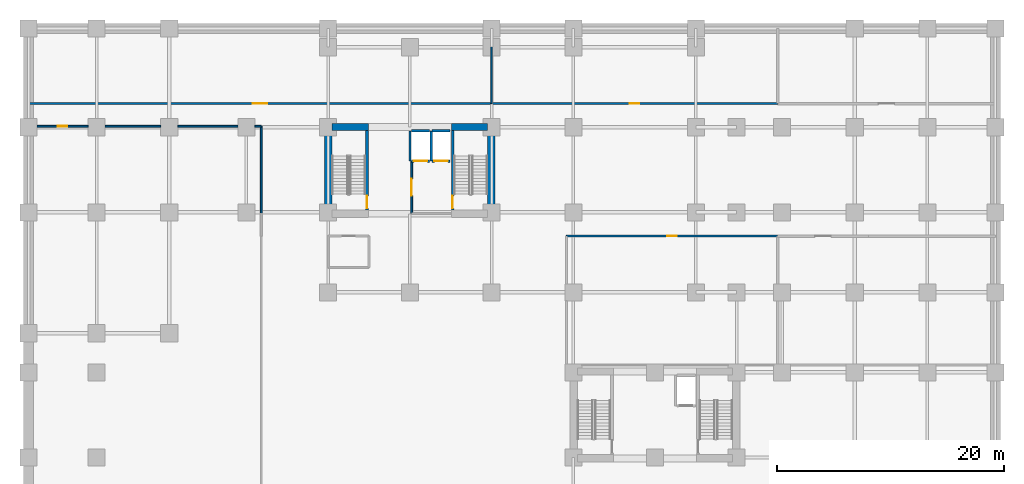
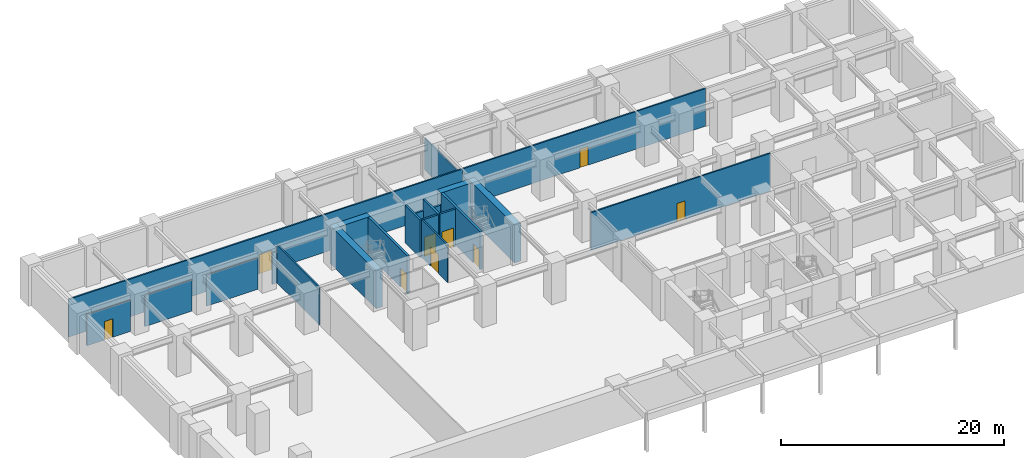
# One storey, part 8 of 11: 22 walls, 9 doors, 9 openings.
"""IFC4 building model written with IfcOpenShell, lengths in metres."""

from ifc_helpers import new_model, si_unit, direction, frame, frame_2d, origin, place, context, subcontext, project, spatial, rectangle, extrude, material, layer, layer_set, type_object, element, fill, save


model = new_model("IFC4")

# Units and contexts
model_context = context("Model", 3, precision=1e-05, world=origin(), true_north=direction((0.0, 1.0)))
body_context = subcontext(model_context, "Body", "Model", "MODEL_VIEW")
ifc_project = project(units=[si_unit("LENGTHUNIT", "METRE"), si_unit("AREAUNIT", "SQUARE_METRE"), si_unit("VOLUMEUNIT", "CUBIC_METRE"), si_unit("PLANEANGLEUNIT", "RADIAN"), si_unit("MASSUNIT", "GRAM", prefix="KILO")], contexts=[model_context])

# Site, building, storey
site_placement = place(None, origin())
site = spatial("IfcSite", under=ifc_project, at=site_placement, CompositionType="ELEMENT")
building_placement = place(site_placement, origin())
building = spatial("IfcBuilding", under=site, at=building_placement, Name="Kaliganga Portal Commons", CompositionType="ELEMENT")
storey_placement = place(building_placement, frame((0.0, 0.0, -4.5)))
storey = spatial("IfcBuildingStorey", under=building, at=storey_placement, Name="B1", CompositionType="ELEMENT", Elevation=-4.5)

# Walls
ifc_material_1 = material(Name="Concrete C70/85", Category="concrete")
ifc_layer_1 = layer(ifc_material_1, 0.64990234375)
ifc_layer_set_1 = layer_set([ifc_layer_1], Name="Concrete C70/85")
wall_type_1 = type_object("IfcWallType", Name="WL-CORE-650", PredefinedType="SHEAR", material=ifc_layer_set_1)
for number, where, z_axis, x_axis, name in (
    (1, (14.425048828125, 28.199951171875, 0.0), (0.0, 0.0, 1.0), (0.0, 1.0, 0.0), "Core A West Shear Wall B1"),
    (2, (28.77490234375, 28.199951171875, 0.0), (0.0, 0.0, 1.0), (0.0, 1.0, 0.0), "Core A East Shear Wall B1"),
):
    element("IfcWall", number, at=place(storey_placement, frame(where, z_axis=z_axis, x_axis=x_axis)), inside=storey, type_object=wall_type_1, Name=name, PredefinedType="SHEAR", context=body_context, shape_type="SweptSolid", body=[
        extrude(rectangle(XDim=8.300048828125, YDim=0.64990234375, at=frame_2d((4.14990234375, 0.0))), origin(), (0.0, 0.0, 1.0), 4.14990234375),
    ])
for number, where, z_axis, x_axis, name in (
    (3, (14.75, 36.175048828125, 0.0), (0.0, 0.0, 1.0), (1.0, 0.0, 0.0), "Core A N-West Shear Wall B1"),
    (4, (25.25, 36.175048828125, 0.0), (0.0, 0.0, 1.0), (1.0, 0.0, 0.0), "Core A N-East Shear Wall B1"),
):
    element("IfcWall", number, at=place(storey_placement, frame(where, z_axis=z_axis, x_axis=x_axis)), inside=storey, type_object=wall_type_1, Name=name, PredefinedType="SHEAR", context=body_context, shape_type="SweptSolid", body=[
        extrude(rectangle(XDim=3.199951171875, YDim=0.64990234375, at=frame_2d((1.60009765625, 0.0))), origin(), (0.0, 0.0, 1.0), 4.14990234375),
    ])

# Wall, opening, door
ifc_material_2 = material(Name="Fire-Rated Gypsum Board on Steel Stud", Category="steel")
ifc_layer_2 = layer(ifc_material_2, 0.14990234375)
ifc_layer_set_2 = layer_set([ifc_layer_2], Name="Fire-Rated Gypsum Board on Steel Stud")
wall_type_2 = type_object("IfcWallType", Name="WL-PART-CORR-150", PredefinedType="PARTITIONING", material=ifc_layer_set_2)
wall_1_placement = place(storey_placement, frame((-12.0, 38.239990234375, 0.0), z_axis=(0.0, 0.0, 1.0), x_axis=(1.0, 0.0, 0.0)))
wall_1 = element("IfcWall", 5, at=wall_1_placement, inside=storey, type_object=wall_type_2, Name="Interior Partition B1-001", PredefinedType="PARTITIONING", context=body_context, shape_type="SweptSolid", body=[
    extrude(rectangle(XDim=40.800048828125, YDim=0.14990234375, at=frame_2d((20.39990234375, 0.0))), origin(), (0.0, 0.0, 1.0), 4.1298828125),
])
opening_1_placement = place(wall_1_placement, frame((19.75, 0.0, 0.0)))
opening_1 = element("IfcOpeningElement", 6, at=opening_1_placement, cuts=wall_1, Name="Opening RD-03", PredefinedType="OPENING", context=body_context, shape_type="SweptSolid", body=[
    extrude(rectangle(XDim=1.300048828125, YDim=2.1201171875, at=frame_2d((0.64990234375, 1.06005859375))), frame((0.0, 0.0849609375, 0.0), z_axis=(0.0, -1.0, 0.0), x_axis=(1.0, 0.0, 0.0)), (0.0, 0.0, 1.0), 0.169921875),
])
ifc_material_3 = material(Name="Glazed Timber Seminar Vision Door", Category="wood")
door_type_1 = type_object("IfcDoorType", Name="DR-STUDY-1300", OperationType="DOUBLE_DOOR_SINGLE_SWING", PredefinedType="DOOR", material=ifc_material_3)
door_1_placement = place(opening_1_placement, origin())
door_1 = element("IfcDoor", 7, at=door_1_placement, inside=storey, type_object=door_type_1, Name="Interior Door B1-CYC", OperationType="DOUBLE_DOOR_SINGLE_SWING", OverallHeight=2.1201171875, OverallWidth=1.300048828125, PredefinedType="DOOR", context=body_context, shape_type="SweptSolid", body=[
    extrude(rectangle(XDim=1.300048828125, YDim=2.1201171875, at=frame_2d((0.64990234375, 1.06005859375))), frame((0.0, 0.02490234375, 0.0), z_axis=(0.0, -1.0, 0.0), x_axis=(1.0, 0.0, 0.0)), (0.0, 0.0, 1.0), 0.050048828125),
])
fill(opening_1, door_1)

wall_2_placement = place(storey_placement, frame((28.800048828125, 38.239990234375, 0.0), z_axis=(0.0, 0.0, 1.0), x_axis=(1.0, 0.0, 0.0)))
wall_2 = element("IfcWall", 8, at=wall_2_placement, inside=storey, type_object=wall_type_2, Name="Interior Partition B1-002", PredefinedType="PARTITIONING", context=body_context, shape_type="SweptSolid", body=[
    extrude(rectangle(XDim=25.199951171875, YDim=0.14990234375, at=frame_2d((12.60009765625, 0.0))), origin(), (0.0, 0.0, 1.0), 4.1298828125),
])
opening_2_placement = place(wall_2_placement, frame((12.175048828125, 0.0, 0.0)))
opening_2 = element("IfcOpeningElement", 9, at=opening_2_placement, cuts=wall_2, Name="Opening WD-01", PredefinedType="OPENING", context=body_context, shape_type="SweptSolid", body=[
    extrude(rectangle(XDim=0.85009765625, YDim=2.0400390625, at=frame_2d((0.425048828125, 1.02001953125))), frame((0.0, 0.0849609375, 0.0), z_axis=(0.0, -1.0, 0.0), x_axis=(1.0, 0.0, 0.0)), (0.0, 0.0, 1.0), 0.169921875),
])
ifc_material_4 = material(Name="Moisture-Resistant Laminate Timber Door", Category="wood")
door_type_2 = type_object("IfcDoorType", Name="DR-WET-850", OperationType="NOTDEFINED", PredefinedType="DOOR", material=ifc_material_4)
door_2_placement = place(opening_2_placement, origin())
door_2 = element("IfcDoor", 10, at=door_2_placement, inside=storey, type_object=door_type_2, Name="Interior Door B1-LAUN", OperationType="SINGLE_SWING_LEFT", OverallHeight=2.0400390625, OverallWidth=0.85009765625, PredefinedType="DOOR", context=body_context, shape_type="SweptSolid", body=[
    extrude(rectangle(XDim=0.85009765625, YDim=2.0400390625, at=frame_2d((0.425048828125, 1.02001953125))), frame((0.0, 0.02490234375, 0.0), z_axis=(0.0, -1.0, 0.0), x_axis=(1.0, 0.0, 0.0)), (0.0, 0.0, 1.0), 0.050048828125),
])
fill(opening_2, door_2)

wall_3_placement = place(storey_placement, frame((-11.25, 36.239990234375, 0.0), z_axis=(0.0, 0.0, 1.0), x_axis=(1.0, 0.0, 0.0)))
wall_3 = element("IfcWall", 11, at=wall_3_placement, inside=storey, type_object=wall_type_2, Name="Interior Partition B1-003", PredefinedType="PARTITIONING", context=body_context, shape_type="SweptSolid", body=[
    extrude(rectangle(XDim=4.5, YDim=0.14990234375, at=frame_2d((2.25, 0.0))), origin(), (0.0, 0.0, 1.0), 3.429931640625),
])
opening_3_placement = place(wall_3_placement, frame((1.820068359375, 0.0, 0.0)))
opening_3 = element("IfcOpeningElement", 12, at=opening_3_placement, cuts=wall_3, Name="Opening WD-02", PredefinedType="OPENING", context=body_context, shape_type="SweptSolid", body=[
    extrude(rectangle(XDim=0.860107421875, YDim=2.02001953125, at=frame_2d((0.43017578125, 1.010009765625))), frame((0.0, 0.0849609375, 0.0), z_axis=(0.0, -1.0, 0.0), x_axis=(1.0, 0.0, 0.0)), (0.0, 0.0, 1.0), 0.169921875),
])
ifc_material_5 = material(Name="Fire-Rated Utility Closet Door", Category="wood")
door_type_3 = type_object("IfcDoorType", Name="DR-STORE-800", OperationType="NOTDEFINED", PredefinedType="DOOR", material=ifc_material_5)
door_3_placement = place(opening_3_placement, origin())
door_3 = element("IfcDoor", 13, at=door_3_placement, inside=storey, type_object=door_type_3, Name="Interior Door B1-BULK", OperationType="SINGLE_SWING_RIGHT", OverallHeight=2.02001953125, OverallWidth=0.860107421875, PredefinedType="DOOR", context=body_context, shape_type="SweptSolid", body=[
    extrude(rectangle(XDim=0.860107421875, YDim=2.02001953125, at=frame_2d((0.43017578125, 1.010009765625))), frame((0.0, 0.02490234375, 0.0), z_axis=(0.0, -1.0, 0.0), x_axis=(1.0, 0.0, 0.0)), (0.0, 0.0, 1.0), 0.050048828125),
])
fill(opening_3, door_3)

# Walls
wall_4_placement = place(storey_placement, frame((-5.25, 36.239990234375, 0.0), z_axis=(0.0, 0.0, 1.0), x_axis=(1.0, 0.0, 0.0)))
element("IfcWall", 14, at=wall_4_placement, inside=storey, type_object=wall_type_2, Name="Interior Partition B1-004", PredefinedType="PARTITIONING", context=body_context, shape_type="SweptSolid", body=[
    extrude(rectangle(XDim=4.89990234375, YDim=0.14990234375, at=frame_2d((2.449951171875, 0.0))), origin(), (0.0, 0.0, 1.0), 3.429931640625),
])
wall_5_placement = place(storey_placement, frame((1.14990234375, 36.239990234375, 0.0), z_axis=(0.0, 0.0, 1.0), x_axis=(1.0, 0.0, 0.0)))
element("IfcWall", 15, at=wall_5_placement, inside=storey, type_object=wall_type_2, Name="Interior Partition B1-005", PredefinedType="PARTITIONING", context=body_context, shape_type="SweptSolid", body=[
    extrude(rectangle(XDim=5.300048828125, YDim=0.14990234375, at=frame_2d((2.64990234375, 0.0))), origin(), (0.0, 0.0, 1.0), 3.429931640625),
])
wall_6_placement = place(storey_placement, frame((7.949951171875, 36.239990234375, 0.0), z_axis=(0.0, 0.0, 1.0), x_axis=(1.0, 0.0, 0.0)))
element("IfcWall", 16, at=wall_6_placement, inside=storey, type_object=wall_type_2, Name="Interior Partition B1-006", PredefinedType="PARTITIONING", context=body_context, shape_type="SweptSolid", body=[
    extrude(rectangle(XDim=0.550048828125, YDim=0.14990234375, at=frame_2d((0.27490234375, 0.0))), origin(), (0.0, 0.0, 1.0), 3.429931640625),
])

# Wall, opening, door
wall_7_placement = place(storey_placement, frame((35.39990234375, 26.56005859375, 0.0), z_axis=(0.0, 0.0, 1.0), x_axis=(1.0, 0.0, 0.0)))
wall_7 = element("IfcWall", 17, at=wall_7_placement, inside=storey, type_object=wall_type_2, Name="Interior Partition B1-008", PredefinedType="PARTITIONING", context=body_context, shape_type="SweptSolid", body=[
    extrude(rectangle(XDim=18.60009765625, YDim=0.14990234375, at=frame_2d((9.300048828125, 0.0))), origin(), (0.0, 0.0, 1.0), 4.1298828125),
])
opening_4_placement = place(wall_7_placement, frame((8.8701171875, 0.0, 0.0)))
opening_4 = element("IfcOpeningElement", 18, at=opening_4_placement, cuts=wall_7, Name="Opening WD-02", PredefinedType="OPENING", context=body_context, shape_type="SweptSolid", body=[
    extrude(rectangle(XDim=0.860107421875, YDim=2.02001953125, at=frame_2d((0.43017578125, 1.010009765625))), frame((0.0, 0.0849609375, 0.0), z_axis=(0.0, -1.0, 0.0), x_axis=(1.0, 0.0, 0.0)), (0.0, 0.0, 1.0), 0.169921875),
])
door_4_placement = place(opening_4_placement, origin())
door_4 = element("IfcDoor", 19, at=door_4_placement, inside=storey, type_object=door_type_3, Name="Interior Door B1-REFU", OperationType="SINGLE_SWING_RIGHT", OverallHeight=2.02001953125, OverallWidth=0.860107421875, PredefinedType="DOOR", context=body_context, shape_type="SweptSolid", body=[
    extrude(rectangle(XDim=0.860107421875, YDim=2.02001953125, at=frame_2d((0.43017578125, 1.010009765625))), frame((0.0, 0.02490234375, 0.0), z_axis=(0.0, -1.0, 0.0), x_axis=(1.0, 0.0, 0.0)), (0.0, 0.0, 1.0), 0.050048828125),
])
fill(opening_4, door_4)

# Wall
wall_8_placement = place(storey_placement, frame((8.5, 28.56005859375, 0.0), z_axis=(0.0, 0.0, 1.0), x_axis=(0.0, 1.0, 0.0)))
element("IfcWall", 20, at=wall_8_placement, inside=storey, type_object=wall_type_2, Name="Interior Partition B1-012", PredefinedType="PARTITIONING", context=body_context, shape_type="SweptSolid", body=[
    extrude(rectangle(XDim=7.679931640625, YDim=0.14990234375, at=frame_2d((3.83984375, 0.0))), origin(), (0.0, 0.0, 1.0), 4.1298828125),
])

# Wall, opening, door
wall_9_placement = place(storey_placement, frame((21.760009765625, 28.56005859375, 0.0), z_axis=(0.0, 0.0, 1.0), x_axis=(0.0, 1.0, 0.0)))
wall_9 = element("IfcWall", 21, at=wall_9_placement, inside=storey, type_object=wall_type_2, Name="Interior Partition B1-026", PredefinedType="PARTITIONING", context=body_context, shape_type="SweptSolid", body=[
    extrude(rectangle(XDim=4.599853515625, YDim=0.14990234375, at=frame_2d((2.2998046875, 0.0))), origin(), (0.0, 0.0, 1.0), 4.1298828125),
])
opening_5_placement = place(wall_9_placement, frame((1.550048828125, 0.0, 0.0)))
opening_5 = element("IfcOpeningElement", 22, at=opening_5_placement, cuts=wall_9, Name="Opening FD-01", PredefinedType="OPENING", context=body_context, shape_type="SweptSolid", body=[
    extrude(rectangle(XDim=1.5, YDim=2.10009765625, at=frame_2d((0.75, 1.050048828125))), frame((0.0, 0.0849609375, 0.0), z_axis=(0.0, -1.0, 0.0), x_axis=(1.0, 0.0, 0.0)), (0.0, 0.0, 1.0), 0.169921875),
])
ifc_material_6 = material(Name="Fire-Rated Hardwood and Georgian-Wired Vision Panel", Category="wood")
door_type_4 = type_object("IfcDoorType", Name="DR-LOBBY-1500", OperationType="DOUBLE_DOOR_SINGLE_SWING", PredefinedType="DOOR", material=ifc_material_6)
door_5_placement = place(opening_5_placement, origin())
door_5 = element("IfcDoor", 23, at=door_5_placement, inside=storey, type_object=door_type_4, Name="Interior Door B1-FFLOB_A", OperationType="DOUBLE_DOOR_SINGLE_SWING", OverallHeight=2.10009765625, OverallWidth=1.5, PredefinedType="DOOR", context=body_context, shape_type="SweptSolid", body=[
    extrude(rectangle(XDim=1.5, YDim=2.10009765625, at=frame_2d((0.75, 1.050048828125))), frame((0.0, 0.02490234375, 0.0), z_axis=(0.0, -1.0, 0.0), x_axis=(1.0, 0.0, 0.0)), (0.0, 0.0, 1.0), 0.050048828125),
])
fill(opening_5, door_5)

# Wall
ifc_material_7 = material(Name="Cement-Board Wet-Room Partition", Category="gypsum")
ifc_layer_3 = layer(ifc_material_7, 0.135009765625)
ifc_layer_set_3 = layer_set([ifc_layer_3], Name="Cement-Board Wet-Room Partition")
wall_type_3 = type_object("IfcWallType", Name="WL-PART-WET-135", PredefinedType="PARTITIONING", material=ifc_layer_set_3)
wall_10_placement = place(storey_placement, frame((28.800048828125, 38.239990234375, 0.0), z_axis=(0.0, 0.0, 1.0), x_axis=(0.0, 1.0, 0.0)))
element("IfcWall", 24, at=wall_10_placement, inside=storey, type_object=wall_type_3, Name="Interior Partition B1-024", PredefinedType="PARTITIONING", context=body_context, shape_type="SweptSolid", body=[
    extrude(rectangle(XDim=6.60009765625, YDim=0.135009765625, at=frame_2d((3.300048828125, 0.0))), origin(), (0.0, 0.0, 1.0), 3.530029296875),
])

# Wall, opening, door
ifc_material_8 = material(Name="Fire-Rated Shaftwall Masonry Assembly", Category="masonry")
ifc_layer_4 = layer(ifc_material_8, 0.199951171875)
ifc_layer_set_4 = layer_set([ifc_layer_4], Name="Fire-Rated Shaftwall Masonry Assembly")
wall_type_4 = type_object("IfcWallType", Name="WL-SHAFT-200", PredefinedType="PARTITIONING", material=ifc_layer_set_4)
wall_11_placement = place(storey_placement, frame((21.75, 33.159912109375, 0.0), z_axis=(0.0, 0.0, 1.0), x_axis=(1.0, 0.0, 0.0)))
wall_11 = element("IfcWall", 25, at=wall_11_placement, inside=storey, type_object=wall_type_4, Name="Lift FFL-1 Hoistway Shaft Wall B1-S", PredefinedType="PARTITIONING", context=body_context, shape_type="SweptSolid", body=[
    extrude(rectangle(XDim=1.60009765625, YDim=0.199951171875, at=frame_2d((0.800048828125, 0.0))), origin(), (0.0, 0.0, 1.0), 4.1298828125),
])
opening_6_placement = place(wall_11_placement, frame((0.199951171875, 0.0, 0.0)))
opening_6 = element("IfcOpeningElement", 26, at=opening_6_placement, cuts=wall_11, Name="Opening LD-02", PredefinedType="OPENING", context=body_context, shape_type="SweptSolid", body=[
    extrude(rectangle(XDim=1.199951171875, YDim=2.1201171875, at=frame_2d((0.60009765625, 1.06005859375))), frame((0.0, 0.10986328125, 0.0), z_axis=(0.0, -1.0, 0.0), x_axis=(1.0, 0.0, 0.0)), (0.0, 0.0, 1.0), 0.219970703125),
])
ifc_material_9 = material(Name="Brushed Stainless Steel 316 Stretcher Lift Landing Door", Category="steel")
door_type_5 = type_object("IfcDoorType", Name="DR-LIFT-1200", OperationType="SLIDING_TO_RIGHT", PredefinedType="DOOR", material=ifc_material_9)
door_6_placement = place(opening_6_placement, origin())
door_6 = element("IfcDoor", 27, at=door_6_placement, inside=storey, type_object=door_type_5, Name="Lift FFL-1 Sliding Landing Door B1", OperationType="SLIDING_TO_RIGHT", OverallHeight=2.1201171875, OverallWidth=1.199951171875, PredefinedType="DOOR", context=body_context, shape_type="SweptSolid", body=[
    extrude(rectangle(XDim=1.199951171875, YDim=2.1201171875, at=frame_2d((0.60009765625, 1.06005859375))), frame((0.0, 0.02490234375, 0.0), z_axis=(0.0, -1.0, 0.0), x_axis=(1.0, 0.0, 0.0)), (0.0, 0.0, 1.0), 0.050048828125),
])
fill(opening_6, door_6)

# Walls
wall_12_placement = place(storey_placement, frame((21.75, 35.840087890625, 0.0), z_axis=(0.0, 0.0, 1.0), x_axis=(1.0, 0.0, 0.0)))
element("IfcWall", 28, at=wall_12_placement, inside=storey, type_object=wall_type_4, Name="Lift FFL-1 Hoistway Shaft Wall B1-N", PredefinedType="PARTITIONING", context=body_context, shape_type="SweptSolid", body=[
    extrude(rectangle(XDim=1.60009765625, YDim=0.199951171875, at=frame_2d((0.800048828125, 0.0))), origin(), (0.0, 0.0, 1.0), 2.929931640625),
])
for number, where, z_axis, x_axis, name in (
    (29, (21.610107421875, 33.159912109375, 0.0), (0.0, 0.0, 1.0), (0.0, 1.0, 0.0), "Lift FFL-1 Hoistway Shaft Wall B1-W"),
    (30, (23.489990234375, 33.159912109375, 0.0), (0.0, 0.0, 1.0), (0.0, 1.0, 0.0), "Lift FFL-1 Hoistway Shaft Wall B1-E"),
):
    element("IfcWall", number, at=place(storey_placement, frame(where, z_axis=z_axis, x_axis=x_axis)), inside=storey, type_object=wall_type_4, Name=name, PredefinedType="PARTITIONING", context=body_context, shape_type="SweptSolid", body=[
        extrude(rectangle(XDim=2.68017578125, YDim=0.199951171875, at=frame_2d((1.340087890625, 0.0))), origin(), (0.0, 0.0, 1.0), 4.1298828125),
    ])

# Wall, opening, door
wall_13_placement = place(storey_placement, frame((23.550048828125, 33.159912109375, 0.0), z_axis=(0.0, 0.0, 1.0), x_axis=(1.0, 0.0, 0.0)))
wall_13 = element("IfcWall", 31, at=wall_13_placement, inside=storey, type_object=wall_type_4, Name="Lift FFL-2 Hoistway Shaft Wall B1-S", PredefinedType="PARTITIONING", context=body_context, shape_type="SweptSolid", body=[
    extrude(rectangle(XDim=1.599853515625, YDim=0.199951171875, at=frame_2d((0.7998046875, 0.0))), origin(), (0.0, 0.0, 1.0), 4.1298828125),
])
opening_7_placement = place(wall_13_placement, frame((0.199951171875, 0.0, 0.0)))
opening_7 = element("IfcOpeningElement", 32, at=opening_7_placement, cuts=wall_13, Name="Opening LD-02", PredefinedType="OPENING", context=body_context, shape_type="SweptSolid", body=[
    extrude(rectangle(XDim=1.199951171875, YDim=2.1201171875, at=frame_2d((0.60009765625, 1.06005859375))), frame((0.0, 0.10986328125, 0.0), z_axis=(0.0, -1.0, 0.0), x_axis=(1.0, 0.0, 0.0)), (0.0, 0.0, 1.0), 0.219970703125),
])
door_7_placement = place(opening_7_placement, origin())
door_7 = element("IfcDoor", 33, at=door_7_placement, inside=storey, type_object=door_type_5, Name="Lift FFL-2 Sliding Landing Door B1", OperationType="SLIDING_TO_RIGHT", OverallHeight=2.1201171875, OverallWidth=1.199951171875, PredefinedType="DOOR", context=body_context, shape_type="SweptSolid", body=[
    extrude(rectangle(XDim=1.199951171875, YDim=2.1201171875, at=frame_2d((0.60009765625, 1.06005859375))), frame((0.0, 0.02490234375, 0.0), z_axis=(0.0, -1.0, 0.0), x_axis=(1.0, 0.0, 0.0)), (0.0, 0.0, 1.0), 0.050048828125),
])
fill(opening_7, door_7)

# Wall
wall_14_placement = place(storey_placement, frame((23.550048828125, 35.840087890625, 0.0), z_axis=(0.0, 0.0, 1.0), x_axis=(1.0, 0.0, 0.0)))
element("IfcWall", 34, at=wall_14_placement, inside=storey, type_object=wall_type_4, Name="Lift FFL-2 Hoistway Shaft Wall B1-N", PredefinedType="PARTITIONING", context=body_context, shape_type="SweptSolid", body=[
    extrude(rectangle(XDim=1.599853515625, YDim=0.199951171875, at=frame_2d((0.7998046875, 0.0))), origin(), (0.0, 0.0, 1.0), 2.929931640625),
])

# Wall, opening, door
ifc_material_10 = material(Name="Concrete C50/60", Category="concrete")
ifc_layer_5 = layer(ifc_material_10, 0.25)
ifc_layer_set_5 = layer_set([ifc_layer_5], Name="Concrete C50/60")
wall_type_5 = type_object("IfcWallType", Name="WL-STAIR-250", PredefinedType="SHEAR", material=ifc_layer_set_5)
wall_15_placement = place(storey_placement, frame((17.824951171875, 28.85009765625, 0.0), z_axis=(0.0, 0.0, 1.0), x_axis=(0.0, 1.0, 0.0)))
wall_15 = element("IfcWall", 35, at=wall_15_placement, inside=storey, type_object=wall_type_5, Name="Stair A1 Enclosure Shear Wall B1", PredefinedType="SHEAR", context=body_context, shape_type="SweptSolid", body=[
    extrude(rectangle(XDim=7.0, YDim=0.25, at=frame_2d((3.5, 0.0))), origin(), (0.0, 0.0, 1.0), 4.14990234375),
])
opening_8_placement = place(wall_15_placement, frame((0.14990234375, 0.0, 0.0)))
opening_8 = element("IfcOpeningElement", 36, at=opening_8_placement, cuts=wall_15, Name="Opening SD-01", PredefinedType="OPENING", context=body_context, shape_type="SweptSolid", body=[
    extrude(rectangle(XDim=1.10009765625, YDim=2.080078125, at=frame_2d((0.550048828125, 1.0400390625))), frame((0.0, 0.135009765625, 0.0), z_axis=(0.0, -1.0, 0.0), x_axis=(1.0, 0.0, 0.0)), (0.0, 0.0, 1.0), 0.27001953125),
])
ifc_material_11 = material(Name="Galvanized Steel Fire Door Leaf and Frame", Category="steel")
door_type_6 = type_object("IfcDoorType", Name="DR-STAIR-1100", OperationType="NOTDEFINED", PredefinedType="DOOR", material=ifc_material_11)
door_8_placement = place(opening_8_placement, origin())
door_8 = element("IfcDoor", 37, at=door_8_placement, inside=storey, type_object=door_type_6, Name="Protected Stair ST-A1 Fire Door B1", OperationType="SINGLE_SWING_LEFT", OverallHeight=2.080078125, OverallWidth=1.10009765625, PredefinedType="DOOR", context=body_context, shape_type="SweptSolid", body=[
    extrude(rectangle(XDim=1.10009765625, YDim=2.080078125, at=frame_2d((0.550048828125, 1.0400390625))), frame((0.0, 0.02490234375, 0.0), z_axis=(0.0, -1.0, 0.0), x_axis=(1.0, 0.0, 0.0)), (0.0, 0.0, 1.0), 0.050048828125),
])
fill(opening_8, door_8)

wall_16_placement = place(storey_placement, frame((25.375, 28.85009765625, 0.0), z_axis=(0.0, 0.0, 1.0), x_axis=(0.0, 1.0, 0.0)))
wall_16 = element("IfcWall", 38, at=wall_16_placement, inside=storey, type_object=wall_type_5, Name="Stair A2 Enclosure Shear Wall B1", PredefinedType="SHEAR", context=body_context, shape_type="SweptSolid", body=[
    extrude(rectangle(XDim=7.0, YDim=0.25, at=frame_2d((3.5, 0.0))), origin(), (0.0, 0.0, 1.0), 4.14990234375),
])
opening_9_placement = place(wall_16_placement, frame((0.14990234375, 0.0, 0.0)))
opening_9 = element("IfcOpeningElement", 39, at=opening_9_placement, cuts=wall_16, Name="Opening SD-01", PredefinedType="OPENING", context=body_context, shape_type="SweptSolid", body=[
    extrude(rectangle(XDim=1.10009765625, YDim=2.080078125, at=frame_2d((0.550048828125, 1.0400390625))), frame((0.0, 0.135009765625, 0.0), z_axis=(0.0, -1.0, 0.0), x_axis=(1.0, 0.0, 0.0)), (0.0, 0.0, 1.0), 0.27001953125),
])
door_9_placement = place(opening_9_placement, origin())
door_9 = element("IfcDoor", 40, at=door_9_placement, inside=storey, type_object=door_type_6, Name="Protected Stair ST-A2 Fire Door B1", OperationType="SINGLE_SWING_RIGHT", OverallHeight=2.080078125, OverallWidth=1.10009765625, PredefinedType="DOOR", context=body_context, shape_type="SweptSolid", body=[
    extrude(rectangle(XDim=1.10009765625, YDim=2.080078125, at=frame_2d((0.550048828125, 1.0400390625))), frame((0.0, 0.02490234375, 0.0), z_axis=(0.0, -1.0, 0.0), x_axis=(1.0, 0.0, 0.0)), (0.0, 0.0, 1.0), 0.050048828125),
])
fill(opening_9, door_9)

save(model, "model.ifc")
